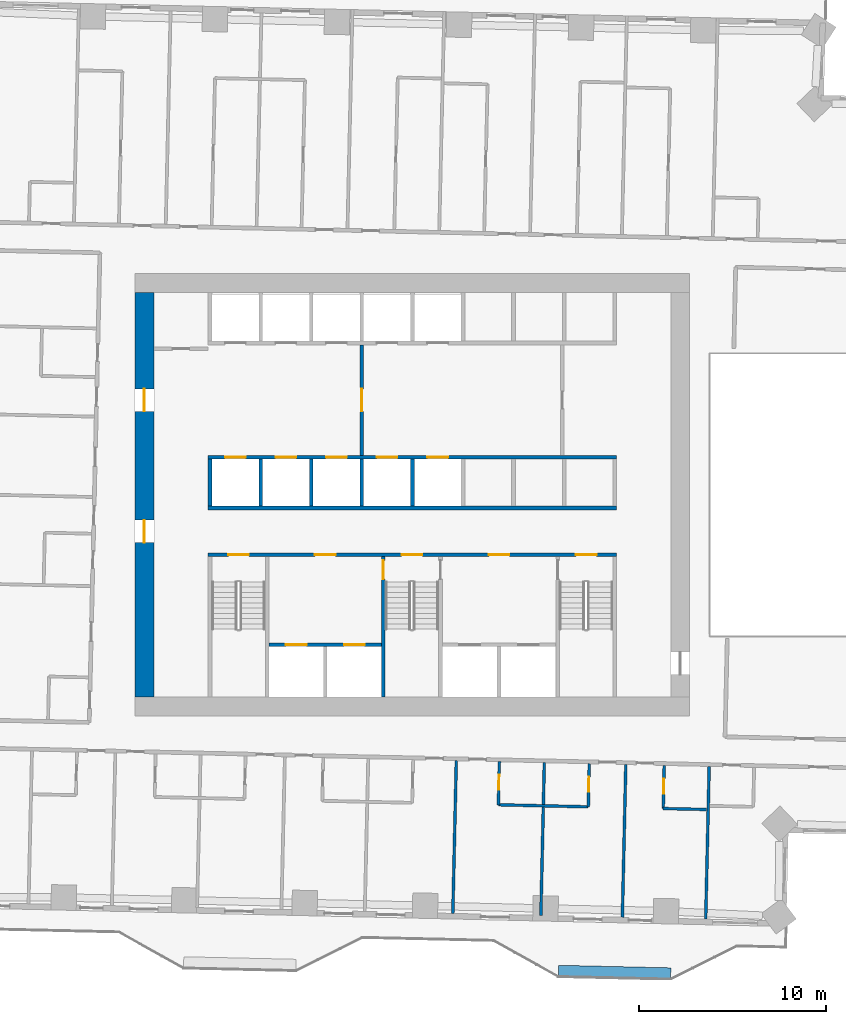
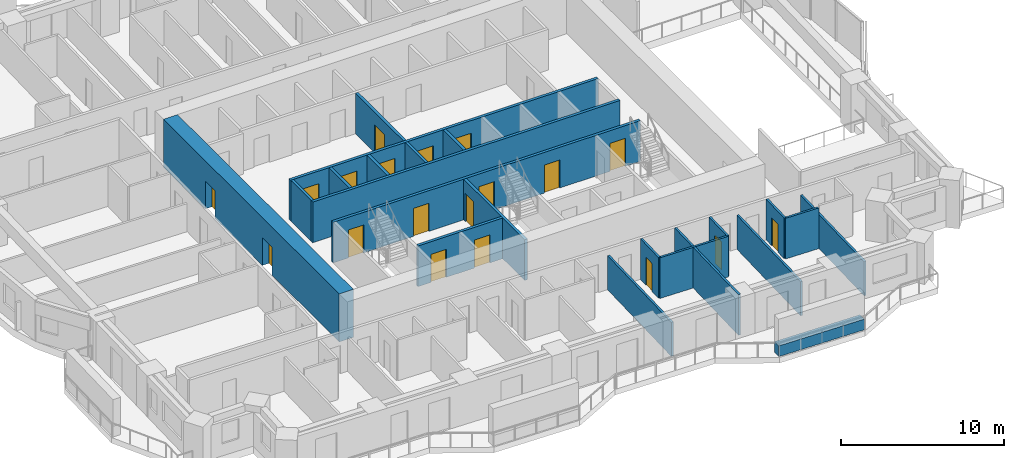
# One storey, part 8 of 16: 22 walls, 19 doors, 19 openings.
"""IFC4 building model written with IfcOpenShell, lengths in metres."""

from ifc_helpers import new_model, si_unit, direction, frame, frame_2d, origin, place, context, subcontext, project, spatial, rectangle, extrude, material, layer, layer_set, type_object, element, fill, save


model = new_model("IFC4")

# Units and contexts
model_context = context("Model", 3, precision=1e-05, world=origin(), true_north=direction((0.0, 1.0)))
body_context = subcontext(model_context, "Body", "Model", "MODEL_VIEW")
ifc_project = project(units=[si_unit("LENGTHUNIT", "METRE"), si_unit("AREAUNIT", "SQUARE_METRE"), si_unit("VOLUMEUNIT", "CUBIC_METRE"), si_unit("PLANEANGLEUNIT", "RADIAN"), si_unit("MASSUNIT", "GRAM", prefix="KILO")], contexts=[model_context])

# Site, building, storey
site_placement = place(None, origin())
site = spatial("IfcSite", under=ifc_project, at=site_placement, CompositionType="ELEMENT")
building_placement = place(site_placement, origin())
building = spatial("IfcBuilding", under=site, at=building_placement, Name="Mangrove Gate Tower", CompositionType="ELEMENT")
storey_placement = place(building_placement, frame((0.0, 0.0, 116.300048828125)))
storey = spatial("IfcBuildingStorey", under=building, at=storey_placement, Name="L29", CompositionType="ELEMENT", Elevation=116.300048828125)

# Wall, opening, door
ifc_material_1 = material(Name="Concrete C32/40", Category="concrete")
ifc_layer_1 = layer(ifc_material_1, 0.199951171875)
ifc_layer_set_1 = layer_set([ifc_layer_1], Name="Core lobby wall 200 C32/40")
wall_type_1 = type_object("IfcWallType", Name="Core lobby wall 200 C32/40", PredefinedType="STANDARD", material=ifc_layer_set_1)
wall_1_placement = place(storey_placement, frame((-2.699951171875, 2.10009765625, 0.0), z_axis=(0.0, 0.0, 1.0), x_axis=(0.0, 1.0, 0.0)))
wall_1 = element("IfcWall", 1, at=wall_1_placement, inside=storey, type_object=wall_type_1, Name="WALL-L29-CORE-38", PredefinedType="STANDARD", context=body_context, shape_type="SweptSolid", body=[
    extrude(rectangle(XDim=5.89990234375, YDim=0.199951171875, at=frame_2d((2.949951171875, 0.0))), origin(), (0.0, 0.0, 1.0), 3.050048828125),
])
opening_1_placement = place(wall_1_placement, frame((2.35009765625, 0.0, 0.0)))
opening_1 = element("IfcOpeningElement", 2, at=opening_1_placement, cuts=wall_1, Name="Opening FL12", PredefinedType="OPENING", context=body_context, shape_type="SweptSolid", body=[
    extrude(rectangle(XDim=1.199951171875, YDim=2.10009765625, at=frame_2d((0.60009765625, 1.050048828125))), frame((0.0, 0.10986328125, 0.0), z_axis=(0.0, -1.0, 0.0), x_axis=(1.0, 0.0, 0.0)), (0.0, 0.0, 1.0), 0.219970703125),
])
ifc_material_2 = material(Name="Fire-rated steel door set", Category="steel")
door_type_1 = type_object("IfcDoorType", Name="Lobby door FD60 1200x2100", OperationType="SINGLE_SWING_LEFT", PredefinedType="DOOR", material=ifc_material_2)
door_1_placement = place(opening_1_placement, origin())
door_1 = element("IfcDoor", 3, at=door_1_placement, inside=storey, type_object=door_type_1, Name="Lobby door lift lobby partition", OperationType="SINGLE_SWING_LEFT", OverallHeight=2.10009765625, OverallWidth=1.199951171875, PredefinedType="DOOR", context=body_context, shape_type="SweptSolid", body=[
    extrude(rectangle(XDim=1.199951171875, YDim=2.10009765625, at=frame_2d((0.60009765625, 1.050048828125))), frame((0.0, 0.02490234375, 0.0), z_axis=(0.0, -1.0, 0.0), x_axis=(1.0, 0.0, 0.0)), (0.0, 0.0, 1.0), 0.050048828125),
])
fill(opening_1, door_1)

# Wall
ifc_material_3 = material(Name="Concrete C70/85", Category="concrete")
ifc_layer_2 = layer(ifc_material_3, 0.199951171875)
ifc_layer_set_2 = layer_set([ifc_layer_2], Name="Core shaft wall 200 C70/85")
wall_type_2 = type_object("IfcWallType", Name="Core shaft wall 200 C70/85", PredefinedType="SHEAR", material=ifc_layer_set_2)
wall_2_placement = place(storey_placement, frame((-10.89990234375, -0.699951171875, 0.0), z_axis=(0.0, 0.0, 1.0), x_axis=(1.0, 0.0, 0.0)))
element("IfcWall", 4, at=wall_2_placement, inside=storey, type_object=wall_type_2, Name="WALL-L29-CORE-6", PredefinedType="SHEAR", context=body_context, shape_type="SweptSolid", body=[
    extrude(rectangle(XDim=21.7998046875, YDim=0.199951171875, at=frame_2d((10.89990234375, 0.0))), origin(), (0.0, 0.0, 1.0), 3.050048828125),
])

# Wall, openings, doors
wall_3_placement = place(storey_placement, frame((-10.89990234375, 2.0, 0.0), z_axis=(0.0, 0.0, 1.0), x_axis=(1.0, 0.0, 0.0)))
wall_3 = element("IfcWall", 5, at=wall_3_placement, inside=storey, type_object=wall_type_2, Name="WALL-L29-CORE-7", PredefinedType="SHEAR", context=body_context, shape_type="SweptSolid", body=[
    extrude(rectangle(XDim=21.7998046875, YDim=0.199951171875, at=frame_2d((10.89990234375, 0.0))), origin(), (0.0, 0.0, 1.0), 3.050048828125),
])
opening_2_placement = place(wall_3_placement, frame((0.89990234375, 0.0, 0.0)))
opening_2 = element("IfcOpeningElement", 6, at=opening_2_placement, cuts=wall_3, Name="Opening LD", PredefinedType="OPENING", context=body_context, shape_type="SweptSolid", body=[
    extrude(rectangle(XDim=1.10009765625, YDim=2.10009765625, at=frame_2d((0.550048828125, 1.050048828125))), frame((0.0, 0.10986328125, 0.0), z_axis=(0.0, -1.0, 0.0), x_axis=(1.0, 0.0, 0.0)), (0.0, 0.0, 1.0), 0.219970703125),
])
opening_3_placement = place(wall_3_placement, frame((3.60009765625, 0.0, 0.0)))
opening_3 = element("IfcOpeningElement", 7, at=opening_3_placement, cuts=wall_3, Name="Opening LD", PredefinedType="OPENING", context=body_context, shape_type="SweptSolid", body=[
    extrude(rectangle(XDim=1.10009765625, YDim=2.10009765625, at=frame_2d((0.550048828125, 1.050048828125))), frame((0.0, 0.10986328125, 0.0), z_axis=(0.0, -1.0, 0.0), x_axis=(1.0, 0.0, 0.0)), (0.0, 0.0, 1.0), 0.219970703125),
])
opening_4_placement = place(wall_3_placement, frame((6.300048828125, 0.0, 0.0)))
opening_4 = element("IfcOpeningElement", 8, at=opening_4_placement, cuts=wall_3, Name="Opening LD", PredefinedType="OPENING", context=body_context, shape_type="SweptSolid", body=[
    extrude(rectangle(XDim=1.10009765625, YDim=2.10009765625, at=frame_2d((0.550048828125, 1.050048828125))), frame((0.0, 0.10986328125, 0.0), z_axis=(0.0, -1.0, 0.0), x_axis=(1.0, 0.0, 0.0)), (0.0, 0.0, 1.0), 0.219970703125),
])
opening_5_placement = place(wall_3_placement, frame((9.0, 0.0, 0.0)))
opening_5 = element("IfcOpeningElement", 9, at=opening_5_placement, cuts=wall_3, Name="Opening LD", PredefinedType="OPENING", context=body_context, shape_type="SweptSolid", body=[
    extrude(rectangle(XDim=1.10009765625, YDim=2.10009765625, at=frame_2d((0.550048828125, 1.050048828125))), frame((0.0, 0.10986328125, 0.0), z_axis=(0.0, -1.0, 0.0), x_axis=(1.0, 0.0, 0.0)), (0.0, 0.0, 1.0), 0.219970703125),
])
opening_6_placement = place(wall_3_placement, frame((11.699951171875, 0.0, 0.0)))
opening_6 = element("IfcOpeningElement", 10, at=opening_6_placement, cuts=wall_3, Name="Opening LD", PredefinedType="OPENING", context=body_context, shape_type="SweptSolid", body=[
    extrude(rectangle(XDim=1.10009765625, YDim=2.10009765625, at=frame_2d((0.550048828125, 1.050048828125))), frame((0.0, 0.10986328125, 0.0), z_axis=(0.0, -1.0, 0.0), x_axis=(1.0, 0.0, 0.0)), (0.0, 0.0, 1.0), 0.219970703125),
])
ifc_material_4 = material(Name="Stainless steel 316", Category="steel")
door_type_2 = type_object("IfcDoorType", Name="Lift landing door 1100x2100", OperationType="SLIDING_TO_LEFT", PredefinedType="DOOR", material=ifc_material_4)
door_2_placement = place(opening_2_placement, origin())
door_2 = element("IfcDoor", 11, at=door_2_placement, inside=storey, type_object=door_type_2, Name="Landing door LD P01", OperationType="SLIDING_TO_LEFT", OverallHeight=2.10009765625, OverallWidth=1.10009765625, PredefinedType="DOOR", context=body_context, shape_type="SweptSolid", body=[
    extrude(rectangle(XDim=1.10009765625, YDim=2.10009765625, at=frame_2d((0.550048828125, 1.050048828125))), frame((0.0, 0.02490234375, 0.0), z_axis=(0.0, -1.0, 0.0), x_axis=(1.0, 0.0, 0.0)), (0.0, 0.0, 1.0), 0.050048828125),
])
fill(opening_2, door_2)
door_3_placement = place(opening_3_placement, origin())
door_3 = element("IfcDoor", 12, at=door_3_placement, inside=storey, type_object=door_type_2, Name="Landing door LD P02", OperationType="SLIDING_TO_LEFT", OverallHeight=2.10009765625, OverallWidth=1.10009765625, PredefinedType="DOOR", context=body_context, shape_type="SweptSolid", body=[
    extrude(rectangle(XDim=1.10009765625, YDim=2.10009765625, at=frame_2d((0.550048828125, 1.050048828125))), frame((0.0, 0.02490234375, 0.0), z_axis=(0.0, -1.0, 0.0), x_axis=(1.0, 0.0, 0.0)), (0.0, 0.0, 1.0), 0.050048828125),
])
fill(opening_3, door_3)
door_4_placement = place(opening_4_placement, origin())
door_4 = element("IfcDoor", 13, at=door_4_placement, inside=storey, type_object=door_type_2, Name="Landing door LD P03", OperationType="SLIDING_TO_LEFT", OverallHeight=2.10009765625, OverallWidth=1.10009765625, PredefinedType="DOOR", context=body_context, shape_type="SweptSolid", body=[
    extrude(rectangle(XDim=1.10009765625, YDim=2.10009765625, at=frame_2d((0.550048828125, 1.050048828125))), frame((0.0, 0.02490234375, 0.0), z_axis=(0.0, -1.0, 0.0), x_axis=(1.0, 0.0, 0.0)), (0.0, 0.0, 1.0), 0.050048828125),
])
fill(opening_4, door_4)
door_5_placement = place(opening_5_placement, origin())
door_5 = element("IfcDoor", 14, at=door_5_placement, inside=storey, type_object=door_type_2, Name="Landing door LD P04", OperationType="SLIDING_TO_LEFT", OverallHeight=2.10009765625, OverallWidth=1.10009765625, PredefinedType="DOOR", context=body_context, shape_type="SweptSolid", body=[
    extrude(rectangle(XDim=1.10009765625, YDim=2.10009765625, at=frame_2d((0.550048828125, 1.050048828125))), frame((0.0, 0.02490234375, 0.0), z_axis=(0.0, -1.0, 0.0), x_axis=(1.0, 0.0, 0.0)), (0.0, 0.0, 1.0), 0.050048828125),
])
fill(opening_5, door_5)
door_6_placement = place(opening_6_placement, origin())
door_6 = element("IfcDoor", 15, at=door_6_placement, inside=storey, type_object=door_type_2, Name="Landing door LD P05", OperationType="SLIDING_TO_LEFT", OverallHeight=2.10009765625, OverallWidth=1.10009765625, PredefinedType="DOOR", context=body_context, shape_type="SweptSolid", body=[
    extrude(rectangle(XDim=1.10009765625, YDim=2.10009765625, at=frame_2d((0.550048828125, 1.050048828125))), frame((0.0, 0.02490234375, 0.0), z_axis=(0.0, -1.0, 0.0), x_axis=(1.0, 0.0, 0.0)), (0.0, 0.0, 1.0), 0.050048828125),
])
fill(opening_6, door_6)

wall_4_placement = place(storey_placement, frame((-7.64990234375, -8.0, 0.0), z_axis=(0.0, 0.0, 1.0), x_axis=(1.0, 0.0, 0.0)))
wall_4 = element("IfcWall", 16, at=wall_4_placement, inside=storey, type_object=wall_type_2, Name="WALL-L29-CORE-15", PredefinedType="SHEAR", context=body_context, shape_type="SweptSolid", body=[
    extrude(rectangle(XDim=6.0, YDim=0.199951171875, at=frame_2d((3.0, 0.0))), origin(), (0.0, 0.0, 1.0), 3.050048828125),
])
opening_7_placement = place(wall_4_placement, frame((0.89990234375, 0.0, 0.0)))
opening_7 = element("IfcOpeningElement", 17, at=opening_7_placement, cuts=wall_4, Name="Opening LD", PredefinedType="OPENING", context=body_context, shape_type="SweptSolid", body=[
    extrude(rectangle(XDim=1.10009765625, YDim=2.10009765625, at=frame_2d((0.550048828125, 1.050048828125))), frame((0.0, 0.10986328125, 0.0), z_axis=(0.0, -1.0, 0.0), x_axis=(1.0, 0.0, 0.0)), (0.0, 0.0, 1.0), 0.219970703125),
])
opening_8_placement = place(wall_4_placement, frame((4.0, 0.0, 0.0)))
opening_8 = element("IfcOpeningElement", 18, at=opening_8_placement, cuts=wall_4, Name="Opening LD", PredefinedType="OPENING", context=body_context, shape_type="SweptSolid", body=[
    extrude(rectangle(XDim=1.10009765625, YDim=2.10009765625, at=frame_2d((0.550048828125, 1.050048828125))), frame((0.0, 0.10986328125, 0.0), z_axis=(0.0, -1.0, 0.0), x_axis=(1.0, 0.0, 0.0)), (0.0, 0.0, 1.0), 0.219970703125),
])
door_7_placement = place(opening_7_placement, origin())
door_7 = element("IfcDoor", 19, at=door_7_placement, inside=storey, type_object=door_type_2, Name="Landing door LD SVL1", OperationType="SLIDING_TO_LEFT", OverallHeight=2.10009765625, OverallWidth=1.10009765625, PredefinedType="DOOR", context=body_context, shape_type="SweptSolid", body=[
    extrude(rectangle(XDim=1.10009765625, YDim=2.10009765625, at=frame_2d((0.550048828125, 1.050048828125))), frame((0.0, 0.02490234375, 0.0), z_axis=(0.0, -1.0, 0.0), x_axis=(1.0, 0.0, 0.0)), (0.0, 0.0, 1.0), 0.050048828125),
])
fill(opening_7, door_7)
door_8_placement = place(opening_8_placement, origin())
door_8 = element("IfcDoor", 20, at=door_8_placement, inside=storey, type_object=door_type_2, Name="Landing door LD SVL2", OperationType="SLIDING_TO_LEFT", OverallHeight=2.10009765625, OverallWidth=1.10009765625, PredefinedType="DOOR", context=body_context, shape_type="SweptSolid", body=[
    extrude(rectangle(XDim=1.10009765625, YDim=2.10009765625, at=frame_2d((0.550048828125, 1.050048828125))), frame((0.0, 0.02490234375, 0.0), z_axis=(0.0, -1.0, 0.0), x_axis=(1.0, 0.0, 0.0)), (0.0, 0.0, 1.0), 0.050048828125),
])
fill(opening_8, door_8)

# Walls
for number, where, z_axis, x_axis, name in (
    (21, (-10.800048828125, -0.60009765625, 0.0), (0.0, 0.0, 1.0), (0.0, 1.0, 0.0), "WALL-L29-CORE-19"),
    (22, (-8.10009765625, -0.60009765625, 0.0), (0.0, 0.0, 1.0), (0.0, 1.0, 0.0), "WALL-L29-CORE-20"),
    (23, (-5.39990234375, -0.60009765625, 0.0), (0.0, 0.0, 1.0), (0.0, 1.0, 0.0), "WALL-L29-CORE-21"),
    (24, (-2.699951171875, -0.60009765625, 0.0), (0.0, 0.0, 1.0), (0.0, 1.0, 0.0), "WALL-L29-CORE-22"),
    (25, (0.0, -0.60009765625, 0.0), (0.0, 0.0, 1.0), (0.0, 1.0, 0.0), "WALL-L29-CORE-23"),
):
    element("IfcWall", number, at=place(storey_placement, frame(where, z_axis=z_axis, x_axis=x_axis)), inside=storey, type_object=wall_type_2, Name=name, PredefinedType="SHEAR", context=body_context, shape_type="SweptSolid", body=[
        extrude(rectangle(XDim=2.5, YDim=0.199951171875, at=frame_2d((1.25, 0.0))), origin(), (0.0, 0.0, 1.0), 3.050048828125),
    ])

# Wall, openings, doors
ifc_material_5 = material(Name="Concrete C70/85", Category="concrete")
ifc_layer_3 = layer(ifc_material_5, 0.199951171875)
ifc_layer_set_3 = layer_set([ifc_layer_3], Name="Core stair wall 200 C70/85")
wall_type_3 = type_object("IfcWallType", Name="Core stair wall 200 C70/85", PredefinedType="SHEAR", material=ifc_layer_set_3)
wall_5_placement = place(storey_placement, frame((-10.89990234375, -3.199951171875, 0.0), z_axis=(0.0, 0.0, 1.0), x_axis=(1.0, 0.0, 0.0)))
wall_5 = element("IfcWall", 26, at=wall_5_placement, inside=storey, type_object=wall_type_3, Name="WALL-L29-CORE-5", PredefinedType="SHEAR", context=body_context, shape_type="SweptSolid", body=[
    extrude(rectangle(XDim=21.7998046875, YDim=0.199951171875, at=frame_2d((10.89990234375, 0.0))), origin(), (0.0, 0.0, 1.0), 3.050048828125),
])
opening_9_placement = place(wall_5_placement, frame((1.074951171875, 0.0, 0.0)))
opening_9 = element("IfcOpeningElement", 27, at=opening_9_placement, cuts=wall_5, Name="Opening STD11", PredefinedType="OPENING", context=body_context, shape_type="SweptSolid", body=[
    extrude(rectangle(XDim=1.10009765625, YDim=2.10009765625, at=frame_2d((0.550048828125, 1.050048828125))), frame((0.0, 0.10986328125, 0.0), z_axis=(0.0, -1.0, 0.0), x_axis=(1.0, 0.0, 0.0)), (0.0, 0.0, 1.0), 0.219970703125),
])
opening_10_placement = place(wall_5_placement, frame((10.324951171875, 0.0, 0.0)))
opening_10 = element("IfcOpeningElement", 28, at=opening_10_placement, cuts=wall_5, Name="Opening STD11", PredefinedType="OPENING", context=body_context, shape_type="SweptSolid", body=[
    extrude(rectangle(XDim=1.10009765625, YDim=2.10009765625, at=frame_2d((0.550048828125, 1.050048828125))), frame((0.0, 0.10986328125, 0.0), z_axis=(0.0, -1.0, 0.0), x_axis=(1.0, 0.0, 0.0)), (0.0, 0.0, 1.0), 0.219970703125),
])
opening_11_placement = place(wall_5_placement, frame((19.625, 0.0, 0.0)))
opening_11 = element("IfcOpeningElement", 29, at=opening_11_placement, cuts=wall_5, Name="Opening STD11", PredefinedType="OPENING", context=body_context, shape_type="SweptSolid", body=[
    extrude(rectangle(XDim=1.10009765625, YDim=2.10009765625, at=frame_2d((0.550048828125, 1.050048828125))), frame((0.0, 0.10986328125, 0.0), z_axis=(0.0, -1.0, 0.0), x_axis=(1.0, 0.0, 0.0)), (0.0, 0.0, 1.0), 0.219970703125),
])
opening_12_placement = place(wall_5_placement, frame((5.699951171875, 0.0, 0.0)))
opening_12 = element("IfcOpeningElement", 30, at=opening_12_placement, cuts=wall_5, Name="Opening FL", PredefinedType="OPENING", context=body_context, shape_type="SweptSolid", body=[
    extrude(rectangle(XDim=1.10009765625, YDim=2.10009765625, at=frame_2d((0.550048828125, 1.050048828125))), frame((0.0, 0.10986328125, 0.0), z_axis=(0.0, -1.0, 0.0), x_axis=(1.0, 0.0, 0.0)), (0.0, 0.0, 1.0), 0.219970703125),
])
opening_13_placement = place(wall_5_placement, frame((14.97509765625, 0.0, 0.0)))
opening_13 = element("IfcOpeningElement", 31, at=opening_13_placement, cuts=wall_5, Name="Opening FL", PredefinedType="OPENING", context=body_context, shape_type="SweptSolid", body=[
    extrude(rectangle(XDim=1.10009765625, YDim=2.10009765625, at=frame_2d((0.550048828125, 1.050048828125))), frame((0.0, 0.10986328125, 0.0), z_axis=(0.0, -1.0, 0.0), x_axis=(1.0, 0.0, 0.0)), (0.0, 0.0, 1.0), 0.219970703125),
])
ifc_material_6 = material(Name="Fire-rated steel door set", Category="steel")
door_type_3 = type_object("IfcDoorType", Name="Lobby door FD60 1100x2100", OperationType="SINGLE_SWING_LEFT", PredefinedType="DOOR", material=ifc_material_6)
door_9_placement = place(opening_12_placement, origin())
door_9 = element("IfcDoor", 32, at=door_9_placement, inside=storey, type_object=door_type_3, Name="Lobby door service lobby", OperationType="SINGLE_SWING_LEFT", OverallHeight=2.10009765625, OverallWidth=1.10009765625, PredefinedType="DOOR", context=body_context, shape_type="SweptSolid", body=[
    extrude(rectangle(XDim=1.10009765625, YDim=2.10009765625, at=frame_2d((0.550048828125, 1.050048828125))), frame((0.0, 0.02490234375, 0.0), z_axis=(0.0, -1.0, 0.0), x_axis=(1.0, 0.0, 0.0)), (0.0, 0.0, 1.0), 0.050048828125),
])
fill(opening_12, door_9)
door_10_placement = place(opening_13_placement, origin())
door_10 = element("IfcDoor", 33, at=door_10_placement, inside=storey, type_object=door_type_3, Name="Lobby door fire-fighting lobby", OperationType="SINGLE_SWING_LEFT", OverallHeight=2.10009765625, OverallWidth=1.10009765625, PredefinedType="DOOR", context=body_context, shape_type="SweptSolid", body=[
    extrude(rectangle(XDim=1.10009765625, YDim=2.10009765625, at=frame_2d((0.550048828125, 1.050048828125))), frame((0.0, 0.02490234375, 0.0), z_axis=(0.0, -1.0, 0.0), x_axis=(1.0, 0.0, 0.0)), (0.0, 0.0, 1.0), 0.050048828125),
])
fill(opening_13, door_10)
ifc_material_7 = material(Name="Fire-rated steel door set", Category="steel")
door_type_4 = type_object("IfcDoorType", Name="Stair door FD60 1100x2100", OperationType="SINGLE_SWING_RIGHT", PredefinedType="DOOR", material=ifc_material_7)
door_11_placement = place(opening_9_placement, origin())
door_11 = element("IfcDoor", 34, at=door_11_placement, inside=storey, type_object=door_type_4, Name="Stair door Stair 1", OperationType="SINGLE_SWING_RIGHT", OverallHeight=2.10009765625, OverallWidth=1.10009765625, PredefinedType="DOOR", context=body_context, shape_type="SweptSolid", body=[
    extrude(rectangle(XDim=1.10009765625, YDim=2.10009765625, at=frame_2d((0.550048828125, 1.050048828125))), frame((0.0, 0.02490234375, 0.0), z_axis=(0.0, -1.0, 0.0), x_axis=(1.0, 0.0, 0.0)), (0.0, 0.0, 1.0), 0.050048828125),
])
fill(opening_9, door_11)
door_12_placement = place(opening_10_placement, origin())
door_12 = element("IfcDoor", 35, at=door_12_placement, inside=storey, type_object=door_type_4, Name="Stair door Stair 2", OperationType="SINGLE_SWING_RIGHT", OverallHeight=2.10009765625, OverallWidth=1.10009765625, PredefinedType="DOOR", context=body_context, shape_type="SweptSolid", body=[
    extrude(rectangle(XDim=1.10009765625, YDim=2.10009765625, at=frame_2d((0.550048828125, 1.050048828125))), frame((0.0, 0.02490234375, 0.0), z_axis=(0.0, -1.0, 0.0), x_axis=(1.0, 0.0, 0.0)), (0.0, 0.0, 1.0), 0.050048828125),
])
fill(opening_10, door_12)
door_13_placement = place(opening_11_placement, origin())
door_13 = element("IfcDoor", 36, at=door_13_placement, inside=storey, type_object=door_type_4, Name="Stair door Stair 3", OperationType="SINGLE_SWING_RIGHT", OverallHeight=2.10009765625, OverallWidth=1.10009765625, PredefinedType="DOOR", context=body_context, shape_type="SweptSolid", body=[
    extrude(rectangle(XDim=1.10009765625, YDim=2.10009765625, at=frame_2d((0.550048828125, 1.050048828125))), frame((0.0, 0.02490234375, 0.0), z_axis=(0.0, -1.0, 0.0), x_axis=(1.0, 0.0, 0.0)), (0.0, 0.0, 1.0), 0.050048828125),
])
fill(opening_11, door_13)

# Wall, opening, door
wall_6_placement = place(storey_placement, frame((-1.550048828125, -10.800048828125, 0.0), z_axis=(0.0, 0.0, 1.0), x_axis=(0.0, 1.0, 0.0)))
wall_6 = element("IfcWall", 37, at=wall_6_placement, inside=storey, type_object=wall_type_3, Name="WALL-L29-CORE-11", PredefinedType="SHEAR", context=body_context, shape_type="SweptSolid", body=[
    extrude(rectangle(XDim=7.5, YDim=0.199951171875, at=frame_2d((3.75, 0.0))), origin(), (0.0, 0.0, 1.0), 3.050048828125),
])
opening_14_placement = place(wall_6_placement, frame((6.300048828125, 0.0, 0.0)))
opening_14 = element("IfcOpeningElement", 38, at=opening_14_placement, cuts=wall_6, Name="Opening STD10", PredefinedType="OPENING", context=body_context, shape_type="SweptSolid", body=[
    extrude(rectangle(XDim=1.0, YDim=2.10009765625, at=frame_2d((0.5, 1.050048828125))), frame((0.0, 0.10986328125, 0.0), z_axis=(0.0, -1.0, 0.0), x_axis=(1.0, 0.0, 0.0)), (0.0, 0.0, 1.0), 0.219970703125),
])
ifc_material_8 = material(Name="Fire-rated steel door set", Category="steel")
door_type_5 = type_object("IfcDoorType", Name="Stair door FD60 1000x2100", OperationType="SINGLE_SWING_RIGHT", PredefinedType="DOOR", material=ifc_material_8)
door_14_placement = place(opening_14_placement, origin())
door_14 = element("IfcDoor", 39, at=door_14_placement, inside=storey, type_object=door_type_5, Name="Stair door Stair 2 from service lobby", OperationType="SINGLE_SWING_RIGHT", OverallHeight=2.10009765625, OverallWidth=1.0, PredefinedType="DOOR", context=body_context, shape_type="SweptSolid", body=[
    extrude(rectangle(XDim=1.0, YDim=2.10009765625, at=frame_2d((0.5, 1.050048828125))), frame((0.0, 0.02490234375, 0.0), z_axis=(0.0, -1.0, 0.0), x_axis=(1.0, 0.0, 0.0)), (0.0, 0.0, 1.0), 0.050048828125),
])
fill(opening_14, door_14)

# Wall, openings, doors
ifc_material_9 = material(Name="Concrete C70/85", Category="concrete")
ifc_layer_4 = layer(ifc_material_9, 1.0)
ifc_layer_set_4 = layer_set([ifc_layer_4], Name="Core wall 1000 C70/85")
wall_type_4 = type_object("IfcWallType", Name="Core wall 1000 C70/85", PredefinedType="SHEAR", material=ifc_layer_set_4)
wall_7_placement = place(storey_placement, frame((-14.300048828125, -10.800048828125, 0.0), z_axis=(0.0, 0.0, 1.0), x_axis=(0.0, 1.0, 0.0)))
wall_7 = element("IfcWall", 40, at=wall_7_placement, inside=storey, type_object=wall_type_4, Name="WALL-L29-CORE-3", PredefinedType="SHEAR", context=body_context, shape_type="SweptSolid", body=[
    extrude(rectangle(XDim=21.60009765625, YDim=1.0, at=frame_2d((10.800048828125, 0.0))), origin(), (0.0, 0.0, 1.0), 3.599853515625),
])
opening_15_placement = place(wall_7_placement, frame((8.25, 0.0, 0.0)))
opening_15 = element("IfcOpeningElement", 41, at=opening_15_placement, cuts=wall_7, Name="Opening CD", PredefinedType="OPENING", context=body_context, shape_type="SweptSolid", body=[
    extrude(rectangle(XDim=1.199951171875, YDim=2.10009765625, at=frame_2d((0.60009765625, 1.050048828125))), frame((0.0, 0.510009765625, 0.0), z_axis=(0.0, -1.0, 0.0), x_axis=(1.0, 0.0, 0.0)), (0.0, 0.0, 1.0), 1.02001953125),
])
opening_16_placement = place(wall_7_placement, frame((15.25, 0.0, 0.0)))
opening_16 = element("IfcOpeningElement", 42, at=opening_16_placement, cuts=wall_7, Name="Opening CD", PredefinedType="OPENING", context=body_context, shape_type="SweptSolid", body=[
    extrude(rectangle(XDim=1.199951171875, YDim=2.10009765625, at=frame_2d((0.60009765625, 1.050048828125))), frame((0.0, 0.510009765625, 0.0), z_axis=(0.0, -1.0, 0.0), x_axis=(1.0, 0.0, 0.0)), (0.0, 0.0, 1.0), 1.02001953125),
])
ifc_material_10 = material(Name="Fire-rated steel door set", Category="steel")
door_type_6 = type_object("IfcDoorType", Name="Core ring door FD60 1200x2100", OperationType="DOUBLE_DOOR_SINGLE_SWING", PredefinedType="DOOR", material=ifc_material_10)
door_15_placement = place(opening_15_placement, origin())
door_15 = element("IfcDoor", 43, at=door_15_placement, inside=storey, type_object=door_type_6, Name="Core ring door W1", OperationType="DOUBLE_DOOR_SINGLE_SWING", OverallHeight=2.10009765625, OverallWidth=1.199951171875, PredefinedType="DOOR", context=body_context, shape_type="SweptSolid", body=[
    extrude(rectangle(XDim=1.199951171875, YDim=2.10009765625, at=frame_2d((0.60009765625, 1.050048828125))), frame((0.0, 0.02490234375, 0.0), z_axis=(0.0, -1.0, 0.0), x_axis=(1.0, 0.0, 0.0)), (0.0, 0.0, 1.0), 0.050048828125),
])
fill(opening_15, door_15)
door_16_placement = place(opening_16_placement, origin())
door_16 = element("IfcDoor", 44, at=door_16_placement, inside=storey, type_object=door_type_6, Name="Core ring door W2", OperationType="DOUBLE_DOOR_SINGLE_SWING", OverallHeight=2.10009765625, OverallWidth=1.199951171875, PredefinedType="DOOR", context=body_context, shape_type="SweptSolid", body=[
    extrude(rectangle(XDim=1.199951171875, YDim=2.10009765625, at=frame_2d((0.60009765625, 1.050048828125))), frame((0.0, 0.02490234375, 0.0), z_axis=(0.0, -1.0, 0.0), x_axis=(1.0, 0.0, 0.0)), (0.0, 0.0, 1.0), 0.050048828125),
])
fill(opening_16, door_16)

# Walls
ifc_material_11 = material(Name="Gypsum board on steel stud, EI 60", Category="steel")
ifc_layer_5 = layer(ifc_material_11, 0.14990234375)
ifc_layer_set_5 = layer_set([ifc_layer_5], Name="Party wall 150 EI 60")
wall_type_5 = type_object("IfcWallType", Name="Party wall 150 EI 60", PredefinedType="PARTITIONING", material=ifc_layer_set_5)
wall_8_placement = place(storey_placement, frame((2.156982421875, -22.342041015625, 0.0), z_axis=(0.0, 0.0, 1.0), x_axis=(0.022706435224, 0.999742175663, 0.0)))
element("IfcWall", 45, at=wall_8_placement, inside=storey, type_object=wall_type_5, Name="WALL-L29-006", PredefinedType="PARTITIONING", context=body_context, shape_type="SweptSolid", body=[
    extrude(rectangle(XDim=8.150146484375, YDim=0.14990234375, at=frame_2d((4.0751953125, 0.0))), origin(), (0.0, 0.0, 1.0), 2.550048828125),
])
wall_9_placement = place(storey_placement, frame((6.85498046875, -22.447998046875, 0.0), z_axis=(0.0, 0.0, 1.0), x_axis=(0.022706435224, 0.999742175663, 0.0)))
element("IfcWall", 46, at=wall_9_placement, inside=storey, type_object=wall_type_5, Name="WALL-L29-007", PredefinedType="PARTITIONING", context=body_context, shape_type="SweptSolid", body=[
    extrude(rectangle(XDim=8.150146484375, YDim=0.14990234375, at=frame_2d((4.0751953125, 0.0))), origin(), (0.0, 0.0, 1.0), 3.050048828125),
])
wall_10_placement = place(storey_placement, frame((11.2041015625, -22.547119140625, 0.0), z_axis=(0.0, 0.0, 1.0), x_axis=(0.022675815822, 0.999742870631, 0.0)))
element("IfcWall", 47, at=wall_10_placement, inside=storey, type_object=wall_type_5, Name="WALL-L29-008", PredefinedType="PARTITIONING", context=body_context, shape_type="SweptSolid", body=[
    extrude(rectangle(XDim=8.150390625, YDim=0.14990234375, at=frame_2d((4.0751953125, 0.0))), origin(), (0.0, 0.0, 1.0), 2.550048828125),
])
wall_11_placement = place(storey_placement, frame((15.653076171875, -22.64794921875, 0.0), z_axis=(0.0, 0.0, 1.0), x_axis=(0.022676494918, 0.999742855227, 0.0)))
element("IfcWall", 48, at=wall_11_placement, inside=storey, type_object=wall_type_5, Name="WALL-L29-009", PredefinedType="PARTITIONING", context=body_context, shape_type="SweptSolid", body=[
    extrude(rectangle(XDim=8.150146484375, YDim=0.14990234375, at=frame_2d((4.0751953125, 0.0))), origin(), (0.0, 0.0, 1.0), 2.550048828125),
])
wall_12_placement = place(storey_placement, frame((4.5849609375, -16.544921875, 0.0), z_axis=(0.0, 0.0, 1.0), x_axis=(0.99974154664, -0.022734113616, 0.0)))
element("IfcWall", 49, at=wall_12_placement, inside=storey, type_object=wall_type_5, Name="WALL-L29-018", PredefinedType="PARTITIONING", context=body_context, shape_type="SweptSolid", body=[
    extrude(rectangle(XDim=4.80029296875, YDim=0.14990234375, at=frame_2d((2.400146484375, 0.0))), origin(), (0.0, 0.0, 1.0), 3.050048828125),
])

# Wall, opening, door
wall_13_placement = place(storey_placement, frame((4.589111328125, -16.544921875, 0.0), z_axis=(0.0, 0.0, 1.0), x_axis=(0.022615284993, 0.999744241736, 0.0)))
wall_13 = element("IfcWall", 50, at=wall_13_placement, inside=storey, type_object=wall_type_5, Name="WALL-L29-019", PredefinedType="PARTITIONING", context=body_context, shape_type="SweptSolid", body=[
    extrude(rectangle(XDim=2.29931640625, YDim=0.14990234375, at=frame_2d((1.149658203125, 0.0))), origin(), (0.0, 0.0, 1.0), 3.050048828125),
])
opening_17_placement = place(wall_13_placement, frame((0.800048828125, 0.0, 0.0)))
opening_17 = element("IfcOpeningElement", 51, at=opening_17_placement, cuts=wall_13, Name="Opening ED", PredefinedType="OPENING", context=body_context, shape_type="SweptSolid", body=[
    extrude(rectangle(XDim=0.800048828125, YDim=2.10009765625, at=frame_2d((0.39990234375, 1.050048828125))), frame((0.0, 0.0849609375, 0.0), z_axis=(0.0, -1.0, 0.0), x_axis=(1.0, 0.0, 0.0)), (0.0, 0.0, 1.0), 0.169921875),
])
ifc_material_12 = material(Name="Timber door leaf", Category="wood")
door_type_7 = type_object("IfcDoorType", Name="En-suite door 800", OperationType="SINGLE_SWING_LEFT", PredefinedType="DOOR", material=ifc_material_12)
door_17_placement = place(opening_17_placement, origin())
door_17 = element("IfcDoor", 52, at=door_17_placement, inside=storey, type_object=door_type_7, Name="DOOR-L29-ENS-c206", OperationType="SINGLE_SWING_RIGHT", OverallHeight=2.10009765625, OverallWidth=0.800048828125, PredefinedType="DOOR", context=body_context, shape_type="SweptSolid", body=[
    extrude(rectangle(XDim=0.800048828125, YDim=2.10009765625, at=frame_2d((0.39990234375, 1.050048828125))), frame((0.0, 0.02490234375, 0.0), z_axis=(0.0, -1.0, 0.0), x_axis=(1.0, 0.0, 0.0)), (0.0, 0.0, 1.0), 0.050048828125),
])
fill(opening_17, door_17)

wall_14_placement = place(storey_placement, frame((9.387939453125, -16.654052734375, 0.0), z_axis=(0.0, 0.0, 1.0), x_axis=(0.022612884682, 0.999744296031, 0.0)))
wall_14 = element("IfcWall", 53, at=wall_14_placement, inside=storey, type_object=wall_type_5, Name="WALL-L29-020", PredefinedType="PARTITIONING", context=body_context, shape_type="SweptSolid", body=[
    extrude(rectangle(XDim=2.299560546875, YDim=0.14990234375, at=frame_2d((1.14990234375, 0.0))), origin(), (0.0, 0.0, 1.0), 3.050048828125),
])
opening_18_placement = place(wall_14_placement, frame((0.800048828125, 0.0, 0.0)))
opening_18 = element("IfcOpeningElement", 54, at=opening_18_placement, cuts=wall_14, Name="Opening ED", PredefinedType="OPENING", context=body_context, shape_type="SweptSolid", body=[
    extrude(rectangle(XDim=0.800048828125, YDim=2.10009765625, at=frame_2d((0.39990234375, 1.050048828125))), frame((0.0, 0.0849609375, 0.0), z_axis=(0.0, -1.0, 0.0), x_axis=(1.0, 0.0, 0.0)), (0.0, 0.0, 1.0), 0.169921875),
])
door_18_placement = place(opening_18_placement, origin())
door_18 = element("IfcDoor", 55, at=door_18_placement, inside=storey, type_object=door_type_7, Name="DOOR-L29-ENS-c307", OperationType="SINGLE_SWING_LEFT", OverallHeight=2.10009765625, OverallWidth=0.800048828125, PredefinedType="DOOR", context=body_context, shape_type="SweptSolid", body=[
    extrude(rectangle(XDim=0.800048828125, YDim=2.10009765625, at=frame_2d((0.39990234375, 1.050048828125))), frame((0.0, 0.02490234375, 0.0), z_axis=(0.0, -1.0, 0.0), x_axis=(1.0, 0.0, 0.0)), (0.0, 0.0, 1.0), 0.050048828125),
])
fill(opening_18, door_18)

# Wall
wall_15_placement = place(storey_placement, frame((13.383056640625, -16.7451171875, 0.0), z_axis=(0.0, 0.0, 1.0), x_axis=(0.999749744571, -0.022370700241, 0.0)))
element("IfcWall", 56, at=wall_15_placement, inside=storey, type_object=wall_type_5, Name="WALL-L29-021", PredefinedType="PARTITIONING", context=body_context, shape_type="SweptSolid", body=[
    extrude(rectangle(XDim=2.324462890625, YDim=0.14990234375, at=frame_2d((1.162109375, 0.0))), origin(), (0.0, 0.0, 1.0), 3.050048828125),
])

# Wall, opening, door
wall_16_placement = place(storey_placement, frame((13.386962890625, -16.7451171875, 0.0), z_axis=(0.0, 0.0, 1.0), x_axis=(0.022603288534, 0.999744513037, 0.0)))
wall_16 = element("IfcWall", 57, at=wall_16_placement, inside=storey, type_object=wall_type_5, Name="WALL-L29-022", PredefinedType="PARTITIONING", context=body_context, shape_type="SweptSolid", body=[
    extrude(rectangle(XDim=2.300537109375, YDim=0.14990234375, at=frame_2d((1.150390625, 0.0))), origin(), (0.0, 0.0, 1.0), 3.050048828125),
])
opening_19_placement = place(wall_16_placement, frame((0.800048828125, 0.0, 0.0)))
opening_19 = element("IfcOpeningElement", 58, at=opening_19_placement, cuts=wall_16, Name="Opening ED", PredefinedType="OPENING", context=body_context, shape_type="SweptSolid", body=[
    extrude(rectangle(XDim=0.800048828125, YDim=2.10009765625, at=frame_2d((0.39990234375, 1.050048828125))), frame((0.0, 0.0849609375, 0.0), z_axis=(0.0, -1.0, 0.0), x_axis=(1.0, 0.0, 0.0)), (0.0, 0.0, 1.0), 0.169921875),
])
door_19_placement = place(opening_19_placement, origin())
door_19 = element("IfcDoor", 59, at=door_19_placement, inside=storey, type_object=door_type_7, Name="DOOR-L29-ENS-c308", OperationType="SINGLE_SWING_RIGHT", OverallHeight=2.10009765625, OverallWidth=0.800048828125, PredefinedType="DOOR", context=body_context, shape_type="SweptSolid", body=[
    extrude(rectangle(XDim=0.800048828125, YDim=2.10009765625, at=frame_2d((0.39990234375, 1.050048828125))), frame((0.0, 0.02490234375, 0.0), z_axis=(0.0, -1.0, 0.0), x_axis=(1.0, 0.0, 0.0)), (0.0, 0.0, 1.0), 0.050048828125),
])
fill(opening_19, door_19)

# Wall
ifc_material_13 = material(Name="Concrete C32/40", Category="concrete")
ifc_layer_6 = layer(ifc_material_13, 0.199951171875, Name="Planter trough wall")
ifc_material_14 = material(Name="Bituminous waterproofing membrane")
ifc_layer_7 = layer(ifc_material_14, 0.0048828125, Name="Waterproofing")
ifc_material_15 = material(Name="Drainage board and gravel")
ifc_layer_8 = layer(ifc_material_15, 0.044921875, Name="Drainage layer")
ifc_material_16 = material(Name="Planting soil")
ifc_layer_9 = layer(ifc_material_16, 0.300048828125, Name="Growing medium")
ifc_layer_set_6 = layer_set([ifc_layer_6, ifc_layer_7, ifc_layer_8, ifc_layer_9], Name="Planter wall 550 C32/40")
wall_type_6 = type_object("IfcWallType", Name="Planter wall 550 C32/40", PredefinedType="USERDEFINED", material=ifc_layer_set_6)
wall_17_placement = place(storey_placement, frame((7.7890625, -25.385009765625, 0.0), z_axis=(0.0, 0.0, 1.0), x_axis=(0.999743094499, -0.022665943652, 0.0)))
element("IfcWall", 60, at=wall_17_placement, inside=storey, type_object=wall_type_6, Name="PLANTER L29 S1.1", ObjectType="PLANTER", PredefinedType="USERDEFINED", context=body_context, shape_type="SweptSolid", body=[
    extrude(rectangle(XDim=5.99951171875, YDim=0.550048828125, at=frame_2d((2.999755859375, 0.0))), origin(), (0.0, 0.0, 1.0), 0.800048828125),
])

save(model, "model.ifc")
